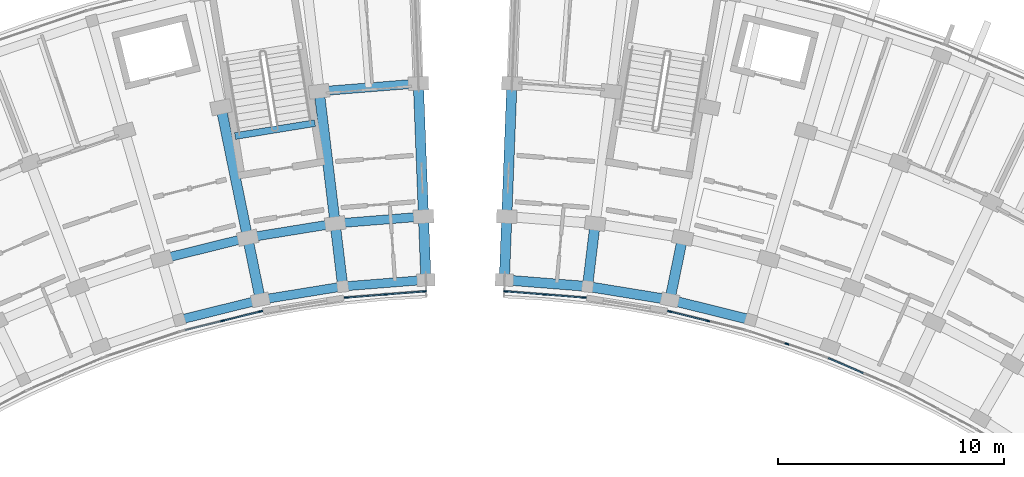
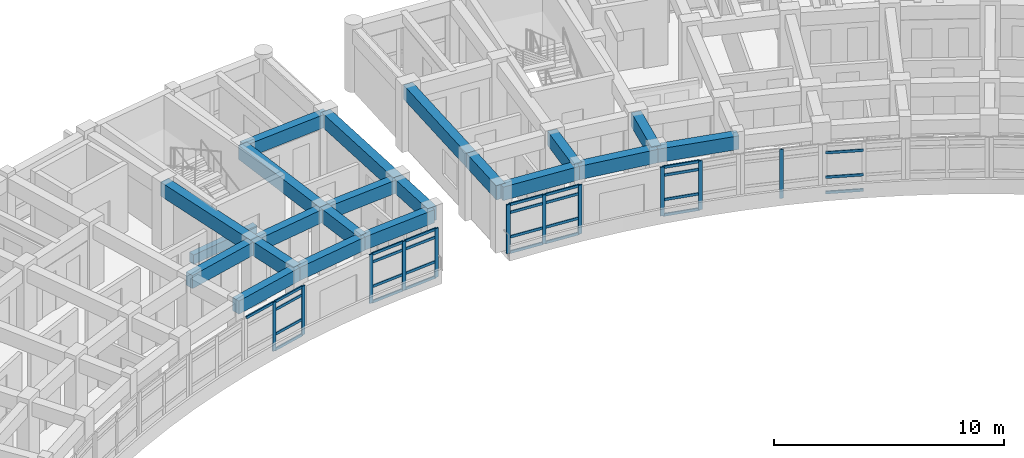
# One storey, part 25 of 83: 39 members, 21 beams, 6 elements without a shape of their own.
"""IFC4 building model written with IfcOpenShell, lengths in metres."""

from ifc_helpers import new_model, si_unit, direction, frame, origin, origin_2d, place, context, subcontext, project, spatial, rectangle, extrude, material, material_profile, profile_set, type_object, element, aggregate, save


model = new_model("IFC4")

# Units and contexts
model_context = context("Model", 3, precision=1e-05, world=origin(), true_north=direction((0.0, 1.0)))
body_context = subcontext(model_context, "Body", "Model", "MODEL_VIEW")
ifc_project = project(units=[si_unit("LENGTHUNIT", "METRE"), si_unit("AREAUNIT", "SQUARE_METRE"), si_unit("VOLUMEUNIT", "CUBIC_METRE"), si_unit("PLANEANGLEUNIT", "RADIAN"), si_unit("MASSUNIT", "GRAM", prefix="KILO")], contexts=[model_context])

# Site, building, storey
site_placement = place(None, origin())
site = spatial("IfcSite", under=ifc_project, at=site_placement, CompositionType="ELEMENT")
building_placement = place(site_placement, origin())
building = spatial("IfcBuilding", under=site, at=building_placement, Name="Zimvara Arc Housing Community", CompositionType="ELEMENT")
storey_placement = place(building_placement, frame((0.0, 0.0, 4.5)))
storey = spatial("IfcBuildingStorey", under=building, at=storey_placement, Name="L01", CompositionType="ELEMENT", Elevation=4.5)

# Beams
ifc_material_1 = material(Name="Concrete C40/50", Category="concrete")
ifc_material_profile_1 = material_profile(ifc_material_1, rectangle(XDim=0.300048828125, YDim=0.5, at=origin_2d()), Name="RC 300x500")
ifc_profile_set_1 = profile_set([ifc_material_profile_1], Name="Concrete C40/50")
beam_type_1 = type_object("IfcBeamType", Name="BM-RC-300x500", PredefinedType="BEAM", material=ifc_profile_set_1)
beam_1_placement = place(storey_placement, frame((38.3662109375, 96.509033203125, -0.25), z_axis=(-0.987080057935, -0.160227835371, 0.0), x_axis=(0.160227835371, -0.987080057935, 0.0)))
element("IfcBeam", 1, at=beam_1_placement, inside=storey, type_object=beam_type_1, Name="bm:stair_trim:ST-A2:L01:near", PredefinedType="BEAM", context=body_context, shape_type="SweptSolid", body=[
    extrude(rectangle(XDim=0.300048828125, YDim=0.5, at=origin_2d()), origin(), (0.0, 0.0, 1.0), 3.570068359375),
])
ifc_material_2 = material(Name="Concrete C40/50", Category="concrete")
ifc_material_profile_2 = material_profile(ifc_material_2, rectangle(XDim=0.39990234375, YDim=0.699951171875, at=origin_2d()), Name="RC 400x700")
ifc_profile_set_2 = profile_set([ifc_material_profile_2], Name="Concrete C40/50")
beam_type_2 = type_object("IfcBeamType", Name="BM-RC-400x700", PredefinedType="BEAM", material=ifc_profile_set_2)
beam_2_placement = place(storey_placement, frame((32.381591796875, 87.819580078125, 3.010009765625), z_axis=(0.970708886215, 0.240258731837, 0.0), x_axis=(-0.240258731837, 0.970708886215, 0.0)))
element("IfcBeam", 2, at=beam_2_placement, inside=storey, type_object=beam_type_2, Name="bm:blkA:L01:chord:r0:b7", PredefinedType="BEAM", context=body_context, shape_type="SweptSolid", body=[
    extrude(rectangle(XDim=0.39990234375, YDim=0.699951171875, at=origin_2d()), origin(), (0.0, 0.0, 1.0), 3.6845703125),
])
for number, where, z_axis, x_axis, name in (
    (3, (35.958251953125, 88.704833984375, 3.010009765625), (0.987079996944, 0.160228211104, 0.0), (-0.160228211104, 0.987079996944, 0.0), "bm:blkA:L01:chord:r0:b8"),
    (4, (39.594970703125, 89.295166015625, 3.010009765625), (0.996865226667, 0.079118391428, 0.0), (-0.079118391428, 0.996865226667, 0.0), "bm:blkA:L01:chord:r0:b9"),
):
    element("IfcBeam", number, at=place(storey_placement, frame(where, z_axis=z_axis, x_axis=x_axis)), inside=storey, type_object=beam_type_2, Name=name, PredefinedType="BEAM", context=body_context, shape_type="SweptSolid", body=[
        extrude(rectangle(XDim=0.39990234375, YDim=0.699951171875, at=origin_2d()), origin(), (0.0, 0.0, 1.0), 3.684326171875),
    ])
for number, where, z_axis, x_axis, name in (
    (5, (31.5986328125, 90.5078125, 3.010009765625), (0.970708671682, 0.240259598602, 0.0), (-0.240259598602, 0.970708671682, 0.0), "bm:blkA:L01:chord:r1:b7"),
    (6, (35.397216796875, 91.447998046875, 3.010009765625), (0.987081487371, 0.160219029111, 0.0), (-0.160219029111, 0.987081487371, 0.0), "bm:blkA:L01:chord:r1:b8"),
):
    element("IfcBeam", number, at=place(storey_placement, frame(where, z_axis=z_axis, x_axis=x_axis)), inside=storey, type_object=beam_type_2, Name=name, PredefinedType="BEAM", context=body_context, shape_type="SweptSolid", body=[
        extrude(rectangle(XDim=0.39990234375, YDim=0.699951171875, at=origin_2d()), origin(), (0.0, 0.0, 1.0), 3.9130859375),
    ])
beam_3_placement = place(storey_placement, frame((39.259765625, 92.074951171875, 3.010009765625), z_axis=(0.99686054795, 0.079177319606, 0.0), x_axis=(-0.079177319606, 0.99686054795, 0.0)))
element("IfcBeam", 7, at=beam_3_placement, inside=storey, type_object=beam_type_2, Name="bm:blkA:L01:chord:r1:b9", PredefinedType="BEAM", context=body_context, shape_type="SweptSolid", body=[
    extrude(rectangle(XDim=0.39990234375, YDim=0.699951171875, at=origin_2d()), origin(), (0.0, 0.0, 1.0), 3.912841796875),
])
beam_4_placement = place(storey_placement, frame((38.55517578125, 97.91259765625, 3.010009765625), z_axis=(0.996864209836, 0.079131202119, 0.0), x_axis=(-0.079131202119, 0.996864209836, 0.0)))
element("IfcBeam", 8, at=beam_4_placement, inside=storey, type_object=beam_type_2, Name="bm:blkA:L01:chord:r2:b9", PredefinedType="BEAM", context=body_context, shape_type="SweptSolid", body=[
    extrude(rectangle(XDim=0.39990234375, YDim=0.699951171875, at=origin_2d()), origin(), (0.0, 0.0, 1.0), 4.393310546875),
])
ifc_material_3 = material(Name="Concrete C40/50", Category="concrete")
ifc_material_profile_3 = material_profile(ifc_material_3, rectangle(XDim=0.43994140625, YDim=0.719970703125, at=origin_2d()), Name="RC 440x720")
ifc_profile_set_3 = profile_set([ifc_material_profile_3], Name="Concrete C40/50")
beam_type_3 = type_object("IfcBeamType", Name="BM-RC-440x720", PredefinedType="BEAM", material=ifc_profile_set_3)
for number, where, z_axis, x_axis, name in (
    (9, (46.732177734375, 89.586669921875, 3.0), (0.996865226667, -0.079118391428, 0.0), (0.079118391428, 0.996865226667, 0.0), "bm:blkB:L01:chord:r0:b0"),
    (10, (50.405029296875, 89.295166015625, 3.0), (0.987079996944, -0.160228211104, 0.0), (0.160228211104, 0.987079996944, 0.0), "bm:blkB:L01:chord:r0:b1"),
):
    element("IfcBeam", number, at=place(storey_placement, frame(where, z_axis=z_axis, x_axis=x_axis)), inside=storey, type_object=beam_type_3, Name=name, PredefinedType="BEAM", context=body_context, shape_type="SweptSolid", body=[
        extrude(rectangle(XDim=0.43994140625, YDim=0.719970703125, at=origin_2d()), origin(), (0.0, 0.0, 1.0), 3.684326171875),
    ])
beam_5_placement = place(storey_placement, frame((54.041748046875, 88.704833984375, 3.0), z_axis=(0.970708886215, -0.240258731837, 0.0), x_axis=(0.240258731837, 0.970708886215, 0.0)))
element("IfcBeam", 11, at=beam_5_placement, inside=storey, type_object=beam_type_3, Name="bm:blkB:L01:chord:r0:b2", PredefinedType="BEAM", context=body_context, shape_type="SweptSolid", body=[
    extrude(rectangle(XDim=0.43994140625, YDim=0.719970703125, at=origin_2d()), origin(), (0.0, 0.0, 1.0), 3.6845703125),
])
ifc_material_4 = material(Name="Concrete C40/50", Category="concrete")
ifc_material_profile_4 = material_profile(ifc_material_4, rectangle(XDim=0.449951171875, YDim=0.75, at=origin_2d()), Name="RC 450x750")
ifc_profile_set_4 = profile_set([ifc_material_profile_4], Name="Concrete C40/50")
beam_type_4 = type_object("IfcBeamType", Name="BM-RC-450x750", PredefinedType="BEAM", material=ifc_profile_set_4)
beam_6_placement = place(storey_placement, frame((35.958251953125, 88.704833984375, 2.985107421875), z_axis=(-0.20037341071, 0.979719600845, 0.0), x_axis=(-0.979719600845, -0.20037341071, 0.0)))
element("IfcBeam", 12, at=beam_6_placement, inside=storey, type_object=beam_type_4, Name="bm:blkA:L01:rad:b8:r01", PredefinedType="BEAM", context=body_context, shape_type="SweptSolid", body=[
    extrude(rectangle(XDim=0.449951171875, YDim=0.75, at=origin_2d()), origin(), (0.0, 0.0, 1.0), 2.800048828125),
])
beam_7_placement = place(storey_placement, frame((35.397216796875, 91.447998046875, 2.985107421875), z_axis=(-0.200417973989, 0.979710485655, 0.0), x_axis=(-0.979710485655, -0.200417973989, 0.0)))
element("IfcBeam", 13, at=beam_7_placement, inside=storey, type_object=beam_type_4, Name="bm:blkA:L01:rad:b8:r12", PredefinedType="BEAM", context=body_context, shape_type="SweptSolid", body=[
    extrude(rectangle(XDim=0.449951171875, YDim=0.75, at=origin_2d()), origin(), (0.0, 0.0, 1.0), 5.880126953125),
])
beam_8_placement = place(storey_placement, frame((39.594970703125, 89.295166015625, 2.985107421875), z_axis=(-0.119719398078, 0.992807768767, 0.0), x_axis=(-0.992807768767, -0.119719398078, 0.0)))
element("IfcBeam", 14, at=beam_8_placement, inside=storey, type_object=beam_type_4, Name="bm:blkA:L01:rad:b9:r01", PredefinedType="BEAM", context=body_context, shape_type="SweptSolid", body=[
    extrude(rectangle(XDim=0.449951171875, YDim=0.75, at=origin_2d()), origin(), (0.0, 0.0, 1.0), 2.7998046875),
])
beam_9_placement = place(storey_placement, frame((39.259765625, 92.074951171875, 2.985107421875), z_axis=(-0.119827921695, 0.992794676246, 0.0), x_axis=(-0.992794676246, -0.119827921695, 0.0)))
element("IfcBeam", 15, at=beam_9_placement, inside=storey, type_object=beam_type_4, Name="bm:blkA:L01:rad:b9:r12", PredefinedType="BEAM", context=body_context, shape_type="SweptSolid", body=[
    extrude(rectangle(XDim=0.449951171875, YDim=0.75, at=origin_2d()), origin(), (0.0, 0.0, 1.0), 5.880126953125),
])
beam_10_placement = place(storey_placement, frame((43.267822265625, 89.586669921875, 2.985107421875), z_axis=(-0.038362804793, 0.999263876665, 0.0), x_axis=(-0.999263876665, -0.038362804793, 0.0)))
element("IfcBeam", 16, at=beam_10_placement, inside=storey, type_object=beam_type_4, Name="bm:blkA:L01:rad:b10:r01", PredefinedType="BEAM", context=body_context, shape_type="SweptSolid", body=[
    extrude(rectangle(XDim=0.449951171875, YDim=0.75, at=origin_2d()), origin(), (0.0, 0.0, 1.0), 2.800048828125),
])
beam_11_placement = place(storey_placement, frame((43.160400390625, 92.384765625, 2.985107421875), z_axis=(-0.038366147405, 0.999263748333, 0.0), x_axis=(-0.999263748333, -0.038366147405, 0.0)))
element("IfcBeam", 17, at=beam_11_placement, inside=storey, type_object=beam_type_4, Name="bm:blkA:L01:rad:b10:r12", PredefinedType="BEAM", context=body_context, shape_type="SweptSolid", body=[
    extrude(rectangle(XDim=0.449951171875, YDim=0.75, at=origin_2d()), origin(), (0.0, 0.0, 1.0), 5.8798828125),
])
beam_12_placement = place(storey_placement, frame((46.732177734375, 89.586669921875, 2.985107421875), z_axis=(0.038362804793, 0.999263876665, 0.0), x_axis=(-0.999263876665, 0.038362804793, 0.0)))
element("IfcBeam", 18, at=beam_12_placement, inside=storey, type_object=beam_type_4, Name="bm:blkB:L01:rad:b0:r01", PredefinedType="BEAM", context=body_context, shape_type="SweptSolid", body=[
    extrude(rectangle(XDim=0.449951171875, YDim=0.75, at=origin_2d()), origin(), (0.0, 0.0, 1.0), 2.800048828125),
])
beam_13_placement = place(storey_placement, frame((46.839599609375, 92.384765625, 2.985107421875), z_axis=(0.038366147405, 0.999263748333, 0.0), x_axis=(-0.999263748333, 0.038366147405, 0.0)))
element("IfcBeam", 19, at=beam_13_placement, inside=storey, type_object=beam_type_4, Name="bm:blkB:L01:rad:b0:r12", PredefinedType="BEAM", context=body_context, shape_type="SweptSolid", body=[
    extrude(rectangle(XDim=0.449951171875, YDim=0.75, at=origin_2d()), origin(), (0.0, 0.0, 1.0), 5.8798828125),
])
beam_14_placement = place(storey_placement, frame((50.405029296875, 89.295166015625, 2.985107421875), z_axis=(0.119719398078, 0.992807768767, 0.0), x_axis=(-0.992807768767, 0.119719398078, 0.0)))
element("IfcBeam", 20, at=beam_14_placement, inside=storey, type_object=beam_type_4, Name="bm:blkB:L01:rad:b1:r01", PredefinedType="BEAM", context=body_context, shape_type="SweptSolid", body=[
    extrude(rectangle(XDim=0.449951171875, YDim=0.75, at=origin_2d()), origin(), (0.0, 0.0, 1.0), 2.7998046875),
])
beam_15_placement = place(storey_placement, frame((54.041748046875, 88.704833984375, 2.985107421875), z_axis=(0.20037341071, 0.979719600845, 0.0), x_axis=(-0.979719600845, 0.20037341071, 0.0)))
element("IfcBeam", 21, at=beam_15_placement, inside=storey, type_object=beam_type_4, Name="bm:blkB:L01:rad:b2:r01", PredefinedType="BEAM", context=body_context, shape_type="SweptSolid", body=[
    extrude(rectangle(XDim=0.449951171875, YDim=0.75, at=origin_2d()), origin(), (0.0, 0.0, 1.0), 2.800048828125),
])

# Curtain wall, members
ifc_material_5 = material(Name="Anodised Aluminium AW-6063", Category="aluminium")
curtain_wall_type_1 = type_object("IfcCurtainWallType", Name="CW-SYS-06", PredefinedType="USERDEFINED", material=ifc_material_5)
curtain_wall_1_placement = place(storey_placement, origin())
curtain_wall_1 = element("IfcCurtainWall", 22, at=curtain_wall_1_placement, inside=storey, type_object=curtain_wall_type_1, Name="cw:blkA:L01:in:b7", ObjectType="CURTAIN WALL", PredefinedType="USERDEFINED")
ifc_material_6 = material(Name="Anodised Aluminium AW-6063", Category="aluminium")
ifc_material_profile_5 = material_profile(ifc_material_6, rectangle(XDim=0.06494140625, YDim=0.179931640625, at=origin_2d()), Name="ALU 65x180")
ifc_profile_set_5 = profile_set([ifc_material_profile_5], Name="Anodised Aluminium AW-6063")
member_type_1 = type_object("IfcMemberType", Name="CWM-65x150", PredefinedType="MULLION", material=ifc_profile_set_5)
member_1_placement = place(storey_placement, frame((34.2900390625, 87.77734375, 0.0), z_axis=(0.0, 0.0, 1.0), x_axis=(-0.240227815706, 0.970716537698, 0.0)))
member_1 = element("IfcMember", 23, at=member_1_placement, type_object=member_type_1, Name="CW06 mullion 2", PredefinedType="MULLION", context=body_context, shape_type="SweptSolid", body=[
    extrude(rectangle(XDim=0.06494140625, YDim=0.179931640625, at=origin_2d()), origin(), (0.0, 0.0, 1.0), 2.60009765625),
])
member_2_placement = place(storey_placement, frame((35.96875, 88.192626953125, 0.0), z_axis=(0.0, 0.0, 1.0), x_axis=(-0.240227815706, 0.970716537698, 0.0)))
member_2 = element("IfcMember", 24, at=member_2_placement, type_object=member_type_1, Name="CW06 mullion 3", PredefinedType="MULLION", context=body_context, shape_type="SweptSolid", body=[
    extrude(rectangle(XDim=0.06494140625, YDim=0.179931640625, at=origin_2d()), origin(), (0.0, 0.0, 1.0), 2.60009765625),
])

ifc_material_7 = material(Name="Anodised Aluminium AW-6063", Category="aluminium")
curtain_wall_type_2 = type_object("IfcCurtainWallType", Name="CW-SYS-08", PredefinedType="USERDEFINED", material=ifc_material_7)
curtain_wall_2_placement = place(storey_placement, origin())
curtain_wall_2 = element("IfcCurtainWall", 25, at=curtain_wall_2_placement, inside=storey, type_object=curtain_wall_type_2, Name="cw:blkA:L01:in:b9", ObjectType="CURTAIN WALL", PredefinedType="USERDEFINED")
member_3_placement = place(storey_placement, frame((39.7470703125, 88.805908203125, 0.0), z_axis=(0.0, 0.0, 1.0), x_axis=(-0.079154709897, 0.996862343506, 0.0)))
member_3 = element("IfcMember", 26, at=member_3_placement, type_object=member_type_1, Name="CW08 mullion 1", PredefinedType="MULLION", context=body_context, shape_type="SweptSolid", body=[
    extrude(rectangle(XDim=0.06494140625, YDim=0.179931640625, at=origin_2d()), origin(), (0.0, 0.0, 1.0), 2.60009765625),
])
member_4_placement = place(storey_placement, frame((41.470947265625, 88.94287109375, 0.0), z_axis=(0.0, 0.0, 1.0), x_axis=(-0.079154709897, 0.996862343506, 0.0)))
member_4 = element("IfcMember", 27, at=member_4_placement, type_object=member_type_1, Name="CW08 mullion 2", PredefinedType="MULLION", context=body_context, shape_type="SweptSolid", body=[
    extrude(rectangle(XDim=0.06494140625, YDim=0.179931640625, at=origin_2d()), origin(), (0.0, 0.0, 1.0), 2.60009765625),
])
member_5_placement = place(storey_placement, frame((43.19482421875, 89.079833984375, 0.0), z_axis=(0.0, 0.0, 1.0), x_axis=(-0.079154709897, 0.996862343506, 0.0)))
member_5 = element("IfcMember", 28, at=member_5_placement, type_object=member_type_1, Name="CW08 mullion 3", PredefinedType="MULLION", context=body_context, shape_type="SweptSolid", body=[
    extrude(rectangle(XDim=0.06494140625, YDim=0.179931640625, at=origin_2d()), origin(), (0.0, 0.0, 1.0), 2.60009765625),
])

ifc_material_8 = material(Name="Anodised Aluminium AW-6063", Category="aluminium")
curtain_wall_type_3 = type_object("IfcCurtainWallType", Name="CW-SYS-02", PredefinedType="USERDEFINED", material=ifc_material_8)
curtain_wall_3_placement = place(storey_placement, origin())
curtain_wall_3 = element("IfcCurtainWall", 29, at=curtain_wall_3_placement, inside=storey, type_object=curtain_wall_type_3, Name="cw:blkB:L01:in:b0", ObjectType="CURTAIN WALL", PredefinedType="USERDEFINED")
member_6_placement = place(storey_placement, frame((46.80517578125, 89.079833984375, 0.0), z_axis=(0.0, 0.0, 1.0), x_axis=(0.079154709897, 0.996862343506, 0.0)))
member_6 = element("IfcMember", 30, at=member_6_placement, type_object=member_type_1, Name="CW02 mullion 1", PredefinedType="MULLION", context=body_context, shape_type="SweptSolid", body=[
    extrude(rectangle(XDim=0.06494140625, YDim=0.179931640625, at=origin_2d()), origin(), (0.0, 0.0, 1.0), 2.60009765625),
])
member_7_placement = place(storey_placement, frame((48.529052734375, 88.94287109375, 0.0), z_axis=(0.0, 0.0, 1.0), x_axis=(0.079154709897, 0.996862343506, 0.0)))
member_7 = element("IfcMember", 31, at=member_7_placement, type_object=member_type_1, Name="CW02 mullion 2", PredefinedType="MULLION", context=body_context, shape_type="SweptSolid", body=[
    extrude(rectangle(XDim=0.06494140625, YDim=0.179931640625, at=origin_2d()), origin(), (0.0, 0.0, 1.0), 2.60009765625),
])
member_8_placement = place(storey_placement, frame((50.2529296875, 88.805908203125, 0.0), z_axis=(0.0, 0.0, 1.0), x_axis=(0.079154709897, 0.996862343506, 0.0)))
member_8 = element("IfcMember", 32, at=member_8_placement, type_object=member_type_1, Name="CW02 mullion 3", PredefinedType="MULLION", context=body_context, shape_type="SweptSolid", body=[
    extrude(rectangle(XDim=0.06494140625, YDim=0.179931640625, at=origin_2d()), origin(), (0.0, 0.0, 1.0), 2.60009765625),
])

ifc_material_9 = material(Name="Anodised Aluminium AW-6063", Category="aluminium")
curtain_wall_type_4 = type_object("IfcCurtainWallType", Name="CW-SYS-04", PredefinedType="USERDEFINED", material=ifc_material_9)
curtain_wall_4_placement = place(storey_placement, origin())
curtain_wall_4 = element("IfcCurtainWall", 33, at=curtain_wall_4_placement, inside=storey, type_object=curtain_wall_type_4, Name="cw:blkB:L01:in:b2", ObjectType="CURTAIN WALL", PredefinedType="USERDEFINED")
member_9_placement = place(storey_placement, frame((54.03125, 88.192626953125, 0.0), z_axis=(0.0, 0.0, 1.0), x_axis=(0.240227815706, 0.970716537698, 0.0)))
member_9 = element("IfcMember", 34, at=member_9_placement, type_object=member_type_1, Name="CW04 mullion 1", PredefinedType="MULLION", context=body_context, shape_type="SweptSolid", body=[
    extrude(rectangle(XDim=0.06494140625, YDim=0.179931640625, at=origin_2d()), origin(), (0.0, 0.0, 1.0), 2.60009765625),
])
member_10_placement = place(storey_placement, frame((55.7099609375, 87.77734375, 0.0), z_axis=(0.0, 0.0, 1.0), x_axis=(0.240227815706, 0.970716537698, 0.0)))
member_10 = element("IfcMember", 35, at=member_10_placement, type_object=member_type_1, Name="CW04 mullion 2", PredefinedType="MULLION", context=body_context, shape_type="SweptSolid", body=[
    extrude(rectangle(XDim=0.06494140625, YDim=0.179931640625, at=origin_2d()), origin(), (0.0, 0.0, 1.0), 2.60009765625),
])

# Curtain wall, member
curtain_wall_5_placement = place(storey_placement, origin())
curtain_wall_5 = element("IfcCurtainWall", 36, at=curtain_wall_5_placement, inside=storey, type_object=curtain_wall_type_1, Name="cw:blkB:L01:in:b3", ObjectType="CURTAIN WALL", PredefinedType="USERDEFINED")
member_11_placement = place(storey_placement, frame((59.205322265625, 86.759033203125, 0.0), z_axis=(0.0, 0.0, 1.0), x_axis=(0.318630249383, 0.94787908732, 0.0)))
member_11 = element("IfcMember", 37, at=member_11_placement, type_object=member_type_1, Name="CW06 mullion 2", PredefinedType="MULLION", context=body_context, shape_type="SweptSolid", body=[
    extrude(rectangle(XDim=0.06494140625, YDim=0.179931640625, at=origin_2d()), origin(), (0.0, 0.0, 1.0), 2.60009765625),
])
aggregate(curtain_wall_5, [member_11])

# Member
ifc_material_10 = material(Name="Anodised Aluminium AW-6063", Category="aluminium")
ifc_material_profile_6 = material_profile(ifc_material_10, rectangle(XDim=0.06494140625, YDim=0.139892578125, at=origin_2d()), Name="ALU 65x140")
ifc_profile_set_6 = profile_set([ifc_material_profile_6], Name="Anodised Aluminium AW-6063")
member_type_2 = type_object("IfcMemberType", Name="CWT-65x120", PredefinedType="USERDEFINED", material=ifc_profile_set_6)
member_12_placement = place(storey_placement, frame((32.642822265625, 87.36962890625, 2.5673828125), z_axis=(0.970700809973, 0.24029135964, 0.0), x_axis=(-0.24029135964, 0.970700809973, 0.0)))
member_12 = element("IfcMember", 38, at=member_12_placement, type_object=member_type_2, Name="CW06 transom 1.4", ObjectType="TRANSOM", PredefinedType="USERDEFINED", context=body_context, shape_type="SweptSolid", body=[
    extrude(rectangle(XDim=0.06494140625, YDim=0.139892578125, at=origin_2d()), origin(), (0.0, 0.0, 1.0), 1.664306640625),
])

member_13_placement = place(storey_placement, frame((34.321533203125, 87.78515625, 0.032470703125), z_axis=(0.970735018799, 0.240153124645, 0.0), x_axis=(-0.240153124645, 0.970735018799, 0.0)))
member_13 = element("IfcMember", 39, at=member_13_placement, type_object=member_type_2, Name="CW06 transom 2.1", ObjectType="TRANSOM", PredefinedType="USERDEFINED", context=body_context, shape_type="SweptSolid", body=[
    extrude(rectangle(XDim=0.06494140625, YDim=0.139892578125, at=origin_2d()), origin(), (0.0, 0.0, 1.0), 1.6640625),
])

member_14_placement = place(storey_placement, frame((34.321533203125, 87.78515625, 0.85009765625), z_axis=(0.970735018799, 0.240153124645, 0.0), x_axis=(-0.240153124645, 0.970735018799, 0.0)))
member_14 = element("IfcMember", 40, at=member_14_placement, type_object=member_type_2, Name="CW06 transom 2.2", ObjectType="TRANSOM", PredefinedType="USERDEFINED", context=body_context, shape_type="SweptSolid", body=[
    extrude(rectangle(XDim=0.06494140625, YDim=0.139892578125, at=origin_2d()), origin(), (0.0, 0.0, 1.0), 1.6640625),
])

member_15_placement = place(storey_placement, frame((34.321533203125, 87.78515625, 2.14990234375), z_axis=(0.970735018799, 0.240153124645, 0.0), x_axis=(-0.240153124645, 0.970735018799, 0.0)))
member_15 = element("IfcMember", 41, at=member_15_placement, type_object=member_type_2, Name="CW06 transom 2.3", ObjectType="TRANSOM", PredefinedType="USERDEFINED", context=body_context, shape_type="SweptSolid", body=[
    extrude(rectangle(XDim=0.06494140625, YDim=0.139892578125, at=origin_2d()), origin(), (0.0, 0.0, 1.0), 1.6640625),
])

member_16_placement = place(storey_placement, frame((34.321533203125, 87.78515625, 2.5673828125), z_axis=(0.970735018799, 0.240153124645, 0.0), x_axis=(-0.240153124645, 0.970735018799, 0.0)))
member_16 = element("IfcMember", 42, at=member_16_placement, type_object=member_type_2, Name="CW06 transom 2.4", ObjectType="TRANSOM", PredefinedType="USERDEFINED", context=body_context, shape_type="SweptSolid", body=[
    extrude(rectangle(XDim=0.06494140625, YDim=0.139892578125, at=origin_2d()), origin(), (0.0, 0.0, 1.0), 1.6640625),
])

aggregate(curtain_wall_1, [member_1, member_2, member_12, member_13, member_14, member_15, member_16])

member_17_placement = place(storey_placement, frame((39.779541015625, 88.80859375, 0.032470703125), z_axis=(0.99685804311, 0.079208849806, 0.0), x_axis=(-0.079208849806, 0.99685804311, 0.0)))
member_17 = element("IfcMember", 43, at=member_17_placement, type_object=member_type_2, Name="CW08 transom 1.1", ObjectType="TRANSOM", PredefinedType="USERDEFINED", context=body_context, shape_type="SweptSolid", body=[
    extrude(rectangle(XDim=0.06494140625, YDim=0.139892578125, at=origin_2d()), origin(), (0.0, 0.0, 1.0), 1.664306640625),
])

member_18_placement = place(storey_placement, frame((39.779541015625, 88.80859375, 0.85009765625), z_axis=(0.99685804311, 0.079208849806, 0.0), x_axis=(-0.079208849806, 0.99685804311, 0.0)))
member_18 = element("IfcMember", 44, at=member_18_placement, type_object=member_type_2, Name="CW08 transom 1.2", ObjectType="TRANSOM", PredefinedType="USERDEFINED", context=body_context, shape_type="SweptSolid", body=[
    extrude(rectangle(XDim=0.06494140625, YDim=0.139892578125, at=origin_2d()), origin(), (0.0, 0.0, 1.0), 1.664306640625),
])

member_19_placement = place(storey_placement, frame((39.779541015625, 88.80859375, 2.14990234375), z_axis=(0.99685804311, 0.079208849806, 0.0), x_axis=(-0.079208849806, 0.99685804311, 0.0)))
member_19 = element("IfcMember", 45, at=member_19_placement, type_object=member_type_2, Name="CW08 transom 1.3", ObjectType="TRANSOM", PredefinedType="USERDEFINED", context=body_context, shape_type="SweptSolid", body=[
    extrude(rectangle(XDim=0.06494140625, YDim=0.139892578125, at=origin_2d()), origin(), (0.0, 0.0, 1.0), 1.664306640625),
])

member_20_placement = place(storey_placement, frame((39.779541015625, 88.80859375, 2.5673828125), z_axis=(0.99685804311, 0.079208849806, 0.0), x_axis=(-0.079208849806, 0.99685804311, 0.0)))
member_20 = element("IfcMember", 46, at=member_20_placement, type_object=member_type_2, Name="CW08 transom 1.4", ObjectType="TRANSOM", PredefinedType="USERDEFINED", context=body_context, shape_type="SweptSolid", body=[
    extrude(rectangle(XDim=0.06494140625, YDim=0.139892578125, at=origin_2d()), origin(), (0.0, 0.0, 1.0), 1.664306640625),
])

member_21_placement = place(storey_placement, frame((41.50341796875, 88.945556640625, 0.032470703125), z_axis=(0.996869614678, 0.079063084507, 0.0), x_axis=(-0.079063084507, 0.996869614678, 0.0)))
member_21 = element("IfcMember", 47, at=member_21_placement, type_object=member_type_2, Name="CW08 transom 2.1", ObjectType="TRANSOM", PredefinedType="USERDEFINED", context=body_context, shape_type="SweptSolid", body=[
    extrude(rectangle(XDim=0.06494140625, YDim=0.139892578125, at=origin_2d()), origin(), (0.0, 0.0, 1.0), 1.664306640625),
])

member_22_placement = place(storey_placement, frame((41.50341796875, 88.945556640625, 0.85009765625), z_axis=(0.996869614678, 0.079063084507, 0.0), x_axis=(-0.079063084507, 0.996869614678, 0.0)))
member_22 = element("IfcMember", 48, at=member_22_placement, type_object=member_type_2, Name="CW08 transom 2.2", ObjectType="TRANSOM", PredefinedType="USERDEFINED", context=body_context, shape_type="SweptSolid", body=[
    extrude(rectangle(XDim=0.06494140625, YDim=0.139892578125, at=origin_2d()), origin(), (0.0, 0.0, 1.0), 1.664306640625),
])

member_23_placement = place(storey_placement, frame((41.50341796875, 88.945556640625, 2.14990234375), z_axis=(0.996869614678, 0.079063084507, 0.0), x_axis=(-0.079063084507, 0.996869614678, 0.0)))
member_23 = element("IfcMember", 49, at=member_23_placement, type_object=member_type_2, Name="CW08 transom 2.3", ObjectType="TRANSOM", PredefinedType="USERDEFINED", context=body_context, shape_type="SweptSolid", body=[
    extrude(rectangle(XDim=0.06494140625, YDim=0.139892578125, at=origin_2d()), origin(), (0.0, 0.0, 1.0), 1.664306640625),
])

member_24_placement = place(storey_placement, frame((41.50341796875, 88.945556640625, 2.5673828125), z_axis=(0.996869614678, 0.079063084507, 0.0), x_axis=(-0.079063084507, 0.996869614678, 0.0)))
member_24 = element("IfcMember", 50, at=member_24_placement, type_object=member_type_2, Name="CW08 transom 2.4", ObjectType="TRANSOM", PredefinedType="USERDEFINED", context=body_context, shape_type="SweptSolid", body=[
    extrude(rectangle(XDim=0.06494140625, YDim=0.139892578125, at=origin_2d()), origin(), (0.0, 0.0, 1.0), 1.664306640625),
])

aggregate(curtain_wall_2, [member_3, member_4, member_5, member_17, member_18, member_19, member_20, member_21, member_22, member_23, member_24])

member_25_placement = place(storey_placement, frame((46.83740234375, 89.0771484375, 0.032470703125), z_axis=(0.996869614678, -0.079063084507, 0.0), x_axis=(0.079063084507, 0.996869614678, 0.0)))
member_25 = element("IfcMember", 51, at=member_25_placement, type_object=member_type_2, Name="CW02 transom 1.1", ObjectType="TRANSOM", PredefinedType="USERDEFINED", context=body_context, shape_type="SweptSolid", body=[
    extrude(rectangle(XDim=0.06494140625, YDim=0.139892578125, at=origin_2d()), origin(), (0.0, 0.0, 1.0), 1.664306640625),
])

member_26_placement = place(storey_placement, frame((46.83740234375, 89.0771484375, 0.85009765625), z_axis=(0.996869614678, -0.079063084507, 0.0), x_axis=(0.079063084507, 0.996869614678, 0.0)))
member_26 = element("IfcMember", 52, at=member_26_placement, type_object=member_type_2, Name="CW02 transom 1.2", ObjectType="TRANSOM", PredefinedType="USERDEFINED", context=body_context, shape_type="SweptSolid", body=[
    extrude(rectangle(XDim=0.06494140625, YDim=0.139892578125, at=origin_2d()), origin(), (0.0, 0.0, 1.0), 1.664306640625),
])

member_27_placement = place(storey_placement, frame((46.83740234375, 89.0771484375, 2.14990234375), z_axis=(0.996869614678, -0.079063084507, 0.0), x_axis=(0.079063084507, 0.996869614678, 0.0)))
member_27 = element("IfcMember", 53, at=member_27_placement, type_object=member_type_2, Name="CW02 transom 1.3", ObjectType="TRANSOM", PredefinedType="USERDEFINED", context=body_context, shape_type="SweptSolid", body=[
    extrude(rectangle(XDim=0.06494140625, YDim=0.139892578125, at=origin_2d()), origin(), (0.0, 0.0, 1.0), 1.664306640625),
])

member_28_placement = place(storey_placement, frame((46.83740234375, 89.0771484375, 2.5673828125), z_axis=(0.996869614678, -0.079063084507, 0.0), x_axis=(0.079063084507, 0.996869614678, 0.0)))
member_28 = element("IfcMember", 54, at=member_28_placement, type_object=member_type_2, Name="CW02 transom 1.4", ObjectType="TRANSOM", PredefinedType="USERDEFINED", context=body_context, shape_type="SweptSolid", body=[
    extrude(rectangle(XDim=0.06494140625, YDim=0.139892578125, at=origin_2d()), origin(), (0.0, 0.0, 1.0), 1.664306640625),
])

member_29_placement = place(storey_placement, frame((48.561279296875, 88.9404296875, 0.032470703125), z_axis=(0.99685804311, -0.079208849806, 0.0), x_axis=(0.079208849806, 0.99685804311, 0.0)))
member_29 = element("IfcMember", 55, at=member_29_placement, type_object=member_type_2, Name="CW02 transom 2.1", ObjectType="TRANSOM", PredefinedType="USERDEFINED", context=body_context, shape_type="SweptSolid", body=[
    extrude(rectangle(XDim=0.06494140625, YDim=0.139892578125, at=origin_2d()), origin(), (0.0, 0.0, 1.0), 1.664306640625),
])

member_30_placement = place(storey_placement, frame((48.561279296875, 88.9404296875, 0.85009765625), z_axis=(0.99685804311, -0.079208849806, 0.0), x_axis=(0.079208849806, 0.99685804311, 0.0)))
member_30 = element("IfcMember", 56, at=member_30_placement, type_object=member_type_2, Name="CW02 transom 2.2", ObjectType="TRANSOM", PredefinedType="USERDEFINED", context=body_context, shape_type="SweptSolid", body=[
    extrude(rectangle(XDim=0.06494140625, YDim=0.139892578125, at=origin_2d()), origin(), (0.0, 0.0, 1.0), 1.664306640625),
])

member_31_placement = place(storey_placement, frame((48.561279296875, 88.9404296875, 2.14990234375), z_axis=(0.99685804311, -0.079208849806, 0.0), x_axis=(0.079208849806, 0.99685804311, 0.0)))
member_31 = element("IfcMember", 57, at=member_31_placement, type_object=member_type_2, Name="CW02 transom 2.3", ObjectType="TRANSOM", PredefinedType="USERDEFINED", context=body_context, shape_type="SweptSolid", body=[
    extrude(rectangle(XDim=0.06494140625, YDim=0.139892578125, at=origin_2d()), origin(), (0.0, 0.0, 1.0), 1.664306640625),
])

member_32_placement = place(storey_placement, frame((48.561279296875, 88.9404296875, 2.5673828125), z_axis=(0.99685804311, -0.079208849806, 0.0), x_axis=(0.079208849806, 0.99685804311, 0.0)))
member_32 = element("IfcMember", 58, at=member_32_placement, type_object=member_type_2, Name="CW02 transom 2.4", ObjectType="TRANSOM", PredefinedType="USERDEFINED", context=body_context, shape_type="SweptSolid", body=[
    extrude(rectangle(XDim=0.06494140625, YDim=0.139892578125, at=origin_2d()), origin(), (0.0, 0.0, 1.0), 1.664306640625),
])

aggregate(curtain_wall_3, [member_6, member_7, member_8, member_25, member_26, member_27, member_28, member_29, member_30, member_31, member_32])

member_33_placement = place(storey_placement, frame((54.06298828125, 88.184814453125, 0.032470703125), z_axis=(0.970735018799, -0.240153124645, 0.0), x_axis=(0.240153124645, 0.970735018799, 0.0)))
member_33 = element("IfcMember", 59, at=member_33_placement, type_object=member_type_2, Name="CW04 transom 1.1", ObjectType="TRANSOM", PredefinedType="USERDEFINED", context=body_context, shape_type="SweptSolid", body=[
    extrude(rectangle(XDim=0.06494140625, YDim=0.139892578125, at=origin_2d()), origin(), (0.0, 0.0, 1.0), 1.6640625),
])

member_34_placement = place(storey_placement, frame((54.06298828125, 88.184814453125, 0.85009765625), z_axis=(0.970735018799, -0.240153124645, 0.0), x_axis=(0.240153124645, 0.970735018799, 0.0)))
member_34 = element("IfcMember", 60, at=member_34_placement, type_object=member_type_2, Name="CW04 transom 1.2", ObjectType="TRANSOM", PredefinedType="USERDEFINED", context=body_context, shape_type="SweptSolid", body=[
    extrude(rectangle(XDim=0.06494140625, YDim=0.139892578125, at=origin_2d()), origin(), (0.0, 0.0, 1.0), 1.6640625),
])

member_35_placement = place(storey_placement, frame((54.06298828125, 88.184814453125, 2.14990234375), z_axis=(0.970735018799, -0.240153124645, 0.0), x_axis=(0.240153124645, 0.970735018799, 0.0)))
member_35 = element("IfcMember", 61, at=member_35_placement, type_object=member_type_2, Name="CW04 transom 1.3", ObjectType="TRANSOM", PredefinedType="USERDEFINED", context=body_context, shape_type="SweptSolid", body=[
    extrude(rectangle(XDim=0.06494140625, YDim=0.139892578125, at=origin_2d()), origin(), (0.0, 0.0, 1.0), 1.6640625),
])

member_36_placement = place(storey_placement, frame((54.06298828125, 88.184814453125, 2.5673828125), z_axis=(0.970735018799, -0.240153124645, 0.0), x_axis=(0.240153124645, 0.970735018799, 0.0)))
member_36 = element("IfcMember", 62, at=member_36_placement, type_object=member_type_2, Name="CW04 transom 1.4", ObjectType="TRANSOM", PredefinedType="USERDEFINED", context=body_context, shape_type="SweptSolid", body=[
    extrude(rectangle(XDim=0.06494140625, YDim=0.139892578125, at=origin_2d()), origin(), (0.0, 0.0, 1.0), 1.6640625),
])

aggregate(curtain_wall_4, [member_9, member_10, member_33, member_34, member_35, member_36])

# Curtain wall, members
curtain_wall_6_placement = place(storey_placement, origin())
curtain_wall_6 = element("IfcCurtainWall", 63, at=curtain_wall_6_placement, inside=storey, type_object=curtain_wall_type_2, Name="cw:blkB:L01:in:b4", ObjectType="CURTAIN WALL", PredefinedType="USERDEFINED")
member_37_placement = place(storey_placement, frame((61.047119140625, 86.12939453125, 0.032470703125), z_axis=(0.918673978315, -0.395016609229, 0.0), x_axis=(0.395016609229, 0.918673978315, 0.0)))
member_37 = element("IfcMember", 64, at=member_37_placement, type_object=member_type_2, Name="CW08 transom 1.1", ObjectType="TRANSOM", PredefinedType="USERDEFINED", context=body_context, shape_type="SweptSolid", body=[
    extrude(rectangle(XDim=0.06494140625, YDim=0.139892578125, at=origin_2d()), origin(), (0.0, 0.0, 1.0), 1.664306640625),
])
member_38_placement = place(storey_placement, frame((61.047119140625, 86.12939453125, 0.85009765625), z_axis=(0.918673978315, -0.395016609229, 0.0), x_axis=(0.395016609229, 0.918673978315, 0.0)))
member_38 = element("IfcMember", 65, at=member_38_placement, type_object=member_type_2, Name="CW08 transom 1.2", ObjectType="TRANSOM", PredefinedType="USERDEFINED", context=body_context, shape_type="SweptSolid", body=[
    extrude(rectangle(XDim=0.06494140625, YDim=0.139892578125, at=origin_2d()), origin(), (0.0, 0.0, 1.0), 1.664306640625),
])
member_39_placement = place(storey_placement, frame((61.047119140625, 86.12939453125, 2.14990234375), z_axis=(0.918673978315, -0.395016609229, 0.0), x_axis=(0.395016609229, 0.918673978315, 0.0)))
member_39 = element("IfcMember", 66, at=member_39_placement, type_object=member_type_2, Name="CW08 transom 1.3", ObjectType="TRANSOM", PredefinedType="USERDEFINED", context=body_context, shape_type="SweptSolid", body=[
    extrude(rectangle(XDim=0.06494140625, YDim=0.139892578125, at=origin_2d()), origin(), (0.0, 0.0, 1.0), 1.664306640625),
])
aggregate(curtain_wall_6, [member_37, member_38, member_39])

save(model, "model.ifc")
